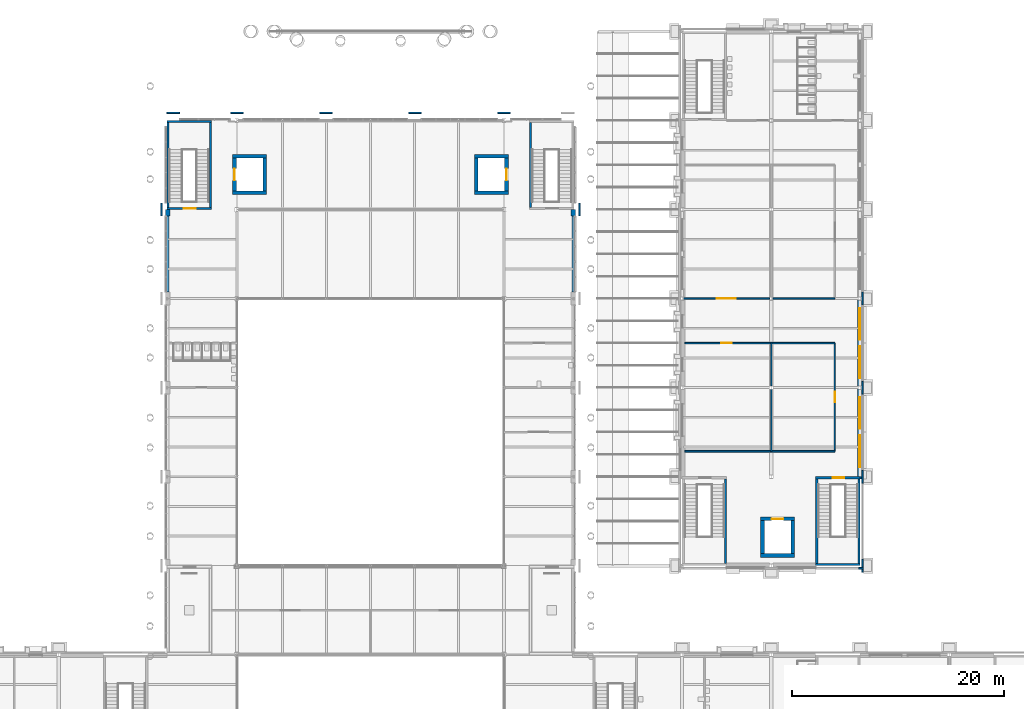
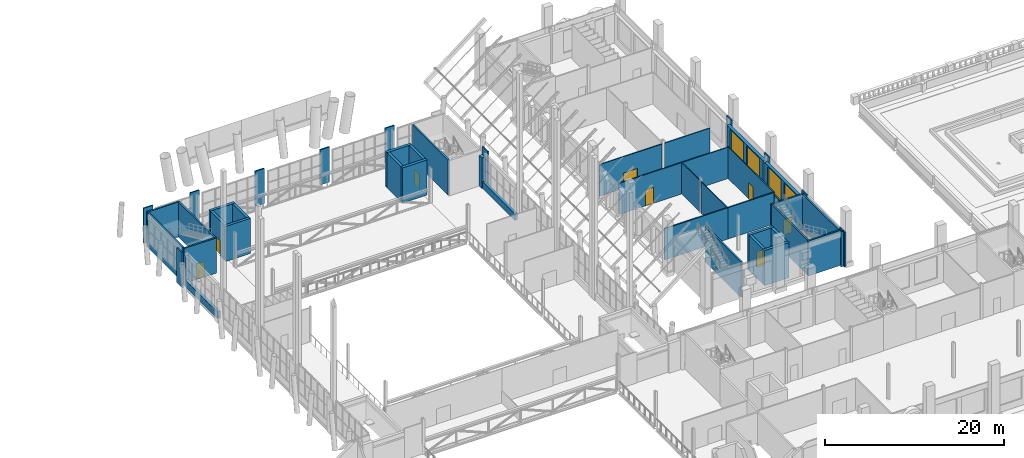
# One storey, part 54 of 76: 49 walls, 8 doors, 4 windows, 12 openings.
"""IFC4 building model written with IfcOpenShell, lengths in metres."""

from ifc_helpers import new_model, si_unit, direction, frame, frame_2d, origin, place, context, subcontext, project, spatial, rectangle, extrude, material, layer, layer_set, type_object, element, fill, save


model = new_model("IFC4")

# Units and contexts
model_context = context("Model", 3, precision=1e-05, world=origin(), true_north=direction((0.0, 1.0)))
body_context = subcontext(model_context, "Body", "Model", "MODEL_VIEW")
ifc_project = project(units=[si_unit("LENGTHUNIT", "METRE"), si_unit("AREAUNIT", "SQUARE_METRE"), si_unit("VOLUMEUNIT", "CUBIC_METRE"), si_unit("PLANEANGLEUNIT", "RADIAN"), si_unit("MASSUNIT", "GRAM", prefix="KILO")], contexts=[model_context])

# Site, building, storey
site_placement = place(None, origin())
site = spatial("IfcSite", under=ifc_project, at=site_placement, CompositionType="ELEMENT")
building_placement = place(site_placement, origin())
building = spatial("IfcBuilding", under=site, at=building_placement, Name="Sava Quay Ferry Terminal", CompositionType="ELEMENT")
storey_placement = place(building_placement, frame((0.0, 0.0, 6.0)))
storey = spatial("IfcBuildingStorey", under=building, at=storey_placement, Name="L01", CompositionType="ELEMENT", Elevation=6.0)

# Walls
ifc_material_1 = material(Name="Limestone Mutalj", Category="masonry")
ifc_layer_1 = layer(ifc_material_1, 0.35009765625)
ifc_layer_set_1 = layer_set([ifc_layer_1], Name="Limestone Mutalj")
wall_type_1 = type_object("IfcWallType", Name="Limestone kerb and parapet 350", PredefinedType="SOLIDWALL", material=ifc_layer_set_1)
for number, where, z_axis, x_axis, name in (
    (1, (43.824951171875, 84.60009765625, 0.0), (0.0, 0.0, 1.0), (0.0, 1.0, 0.0), "External wall D"),
    (2, (82.175048828125, 84.60009765625, 0.0), (0.0, 0.0, 1.0), (0.0, 1.0, 0.0), "External wall D"),
):
    element("IfcWall", number, at=place(storey_placement, frame(where, z_axis=z_axis, x_axis=x_axis)), inside=storey, type_object=wall_type_1, Name=name, PredefinedType="SOLIDWALL", context=body_context, shape_type="SweptSolid", body=[
        extrude(rectangle(XDim=7.199951171875, YDim=0.35009765625, at=frame_2d((3.60009765625, 0.0))), origin(), (0.0, 0.0, 1.0), 0.89990234375),
    ])
ifc_material_2 = material(Name="Limestone Mutalj", Category="masonry")
ifc_layer_2 = layer(ifc_material_2, 0.14990234375)
ifc_layer_set_2 = layer_set([ifc_layer_2], Name="Limestone Mutalj")
wall_type_2 = type_object("IfcWallType", Name="Pier cladding 150", PredefinedType="SOLIDWALL", material=ifc_layer_set_2)
wall_1_placement = place(storey_placement, frame((109.050048828125, 58.56494140625, 0.0), z_axis=(0.0, 0.0, 1.0), x_axis=(1.0, 0.0, 0.0)))
element("IfcWall", 3, at=wall_1_placement, inside=storey, type_object=wall_type_2, Name="Pier O-S grid 109.2", PredefinedType="SOLIDWALL", context=body_context, shape_type="SweptSolid", body=[
    extrude(rectangle(XDim=0.449951171875, YDim=0.14990234375, at=frame_2d((0.22509765625, 0.0))), origin(), (0.0, 0.0, 1.0), 4.800048828125),
])
for number, where, z_axis, x_axis, name in (
    (4, (109.425048828125, 58.199951171875, 0.0), (0.0, 0.0, 1.0), (0.0, 1.0, 0.0), "Pier O-E grid 58.8"),
    (5, (109.425048828125, 66.60009765625, 0.0), (0.0, 0.0, 1.0), (0.0, 1.0, 0.0), "Pier O-E grid 67.2"),
    (6, (109.425048828125, 75.0, 0.0), (0.0, 0.0, 1.0), (0.0, 1.0, 0.0), "Pier O-E grid 75.6"),
):
    element("IfcWall", number, at=place(storey_placement, frame(where, z_axis=z_axis, x_axis=x_axis)), inside=storey, type_object=wall_type_2, Name=name, PredefinedType="SOLIDWALL", context=body_context, shape_type="SweptSolid", body=[
        extrude(rectangle(XDim=1.199951171875, YDim=0.14990234375, at=frame_2d((0.60009765625, 0.0))), origin(), (0.0, 0.0, 1.0), 4.800048828125),
    ])
wall_2_placement = place(storey_placement, frame((109.425048828125, 83.39990234375, 0.0), z_axis=(0.0, 0.0, 1.0), x_axis=(0.0, 1.0, 0.0)))
element("IfcWall", 7, at=wall_2_placement, inside=storey, type_object=wall_type_2, Name="Pier O-E grid 84", PredefinedType="SOLIDWALL", context=body_context, shape_type="SweptSolid", body=[
    extrude(rectangle(XDim=1.2001953125, YDim=0.14990234375, at=frame_2d((0.60009765625, 0.0))), origin(), (0.0, 0.0, 1.0), 4.800048828125),
])
for number, where, z_axis, x_axis, name in (
    (8, (43.27490234375, 91.800048828125, 0.0), (0.0, 0.0, 1.0), (0.0, 1.0, 0.0), "External wall D"),
    (9, (82.72509765625, 91.800048828125, 0.0), (0.0, 0.0, 1.0), (0.0, 1.0, 0.0), "External wall D"),
    (10, (43.800048828125, 101.52490234375, 0.0), (0.0, 0.0, 1.0), (1.0, 0.0, 0.0), "Pier D-N 44.4"),
    (11, (49.800048828125, 101.52490234375, 0.0), (0.0, 0.0, 1.0), (1.0, 0.0, 0.0), "Pier D-N 50.4"),
    (12, (58.199951171875, 101.52490234375, 0.0), (0.0, 0.0, 1.0), (1.0, 0.0, 0.0), "Pier D-N 58.8"),
    (13, (66.60009765625, 101.52490234375, 0.0), (0.0, 0.0, 1.0), (1.0, 0.0, 0.0), "Pier D-N 67.2"),
    (14, (75.0, 101.52490234375, 0.0), (0.0, 0.0, 1.0), (1.0, 0.0, 0.0), "Pier D-N 75.6"),
):
    element("IfcWall", number, at=place(storey_placement, frame(where, z_axis=z_axis, x_axis=x_axis)), inside=storey, type_object=wall_type_2, Name=name, PredefinedType="SOLIDWALL", context=body_context, shape_type="SweptSolid", body=[
        extrude(rectangle(XDim=1.199951171875, YDim=0.14990234375, at=frame_2d((0.60009765625, 0.0))), origin(), (0.0, 0.0, 1.0), 4.800048828125),
    ])
ifc_material_3 = material(Name="Masonry blockwork", Category="masonry")
ifc_layer_3 = layer(ifc_material_3, 0.14990234375)
ifc_layer_set_3 = layer_set([ifc_layer_3], Name="Masonry blockwork")
wall_type_3 = type_object("IfcWallType", Name="Plant, store and lobby wall, blockwork 150", PredefinedType="PARTITIONING", material=ifc_layer_set_3)
wall_3_placement = place(storey_placement, frame((92.650390625, 69.60009765625, 0.0), z_axis=(0.0, 0.0, 1.0), x_axis=(1.0, 0.0, 0.0)))
element("IfcWall", 15, at=wall_3_placement, inside=storey, type_object=wall_type_3, Name="Plant, store and lobby wall, blockwork 150", PredefinedType="PARTITIONING", context=body_context, shape_type="SweptSolid", body=[
    extrude(rectangle(XDim=8.149658203125, YDim=0.14990234375, at=frame_2d((4.07470703125, 0.0))), origin(), (0.0, 0.0, 1.0), 4.280029296875),
])
wall_4_placement = place(storey_placement, frame((100.800048828125, 69.60009765625, 0.0), z_axis=(0.0, 0.0, 1.0), x_axis=(1.0, 0.0, 0.0)))
element("IfcWall", 16, at=wall_4_placement, inside=storey, type_object=wall_type_3, Name="Plant, store and lobby wall, blockwork 150", PredefinedType="PARTITIONING", context=body_context, shape_type="SweptSolid", body=[
    extrude(rectangle(XDim=6.0, YDim=0.14990234375, at=frame_2d((3.0, 0.0))), origin(), (0.0, 0.0, 1.0), 4.280029296875),
])

# Wall, opening, door
ifc_material_4 = material(Name="Concrete C35/45", Category="concrete")
ifc_layer_4 = layer(ifc_material_4, 0.199951171875)
ifc_layer_set_4 = layer_set([ifc_layer_4], Name="Concrete C35/45")
wall_type_4 = type_object("IfcWallType", Name="RC core wall 200", PredefinedType="SHEAR", material=ifc_layer_set_4)
wall_5_placement = place(storey_placement, frame((43.800048828125, 92.5, 0.0), z_axis=(0.0, 0.0, 1.0), x_axis=(1.0, 0.0, 0.0)))
wall_5 = element("IfcWall", 17, at=wall_5_placement, inside=storey, type_object=wall_type_4, Name="Core wall ST-D5 S L01", PredefinedType="SHEAR", context=body_context, shape_type="SweptSolid", body=[
    extrude(rectangle(XDim=4.199951171875, YDim=0.199951171875, at=frame_2d((2.10009765625, 0.0))), origin(), (0.0, 0.0, 1.0), 4.800048828125),
])
opening_1_placement = place(wall_5_placement, frame((1.60009765625, 0.0, 0.0)))
opening_1 = element("IfcOpeningElement", 18, at=opening_1_placement, cuts=wall_5, Name="Opening DS0108", PredefinedType="OPENING", context=body_context, shape_type="SweptSolid", body=[
    extrude(rectangle(XDim=1.10009765625, YDim=2.10009765625, at=frame_2d((0.550048828125, 1.050048828125))), frame((0.0, 0.10009765625, 0.0), z_axis=(0.0, -1.0, 0.0), x_axis=(1.0, 0.0, 0.0)), (0.0, 0.0, 1.0), 0.199951171875),
])
ifc_material_5 = material(Name="Steel fire door set", Category="steel")
door_type_1 = type_object("IfcDoorType", Name="Stair fire door 1100 x 2100", OperationType="NOTDEFINED", PredefinedType="DOOR", material=ifc_material_5)
door_1_placement = place(opening_1_placement, origin())
door_1 = element("IfcDoor", 19, at=door_1_placement, inside=storey, type_object=door_type_1, Name="Door DS0108", OperationType="SINGLE_SWING_RIGHT", OverallHeight=2.10009765625, OverallWidth=1.10009765625, PredefinedType="DOOR", context=body_context, shape_type="SweptSolid", body=[
    extrude(rectangle(XDim=1.10009765625, YDim=2.10009765625, at=frame_2d((0.550048828125, 1.050048828125))), frame((0.0, 0.02490234375, 0.0), z_axis=(0.0, -1.0, 0.0), x_axis=(1.0, 0.0, 0.0)), (0.0, 0.0, 1.0), 0.050048828125),
])
fill(opening_1, door_1)

# Walls
wall_6_placement = place(storey_placement, frame((43.800048828125, 100.699951171875, 0.0), z_axis=(0.0, 0.0, 1.0), x_axis=(1.0, 0.0, 0.0)))
element("IfcWall", 20, at=wall_6_placement, inside=storey, type_object=wall_type_4, Name="Core wall ST-D5 N L01", PredefinedType="SHEAR", context=body_context, shape_type="SweptSolid", body=[
    extrude(rectangle(XDim=4.199951171875, YDim=0.199951171875, at=frame_2d((2.10009765625, 0.0))), origin(), (0.0, 0.0, 1.0), 4.800048828125),
])
for number, where, z_axis, x_axis, name in (
    (21, (43.89990234375, 92.60009765625, 0.0), (0.0, 0.0, 1.0), (0.0, 1.0, 0.0), "Core wall ST-D5 W L01"),
    (22, (47.89990234375, 92.60009765625, 0.0), (0.0, 0.0, 1.0), (0.0, 1.0, 0.0), "Core wall ST-D5 E L01"),
    (23, (78.10009765625, 92.60009765625, 0.0), (0.0, 0.0, 1.0), (0.0, 1.0, 0.0), "Core wall ST-D6 W L01"),
    (24, (96.5, 59.0, 0.0), (0.0, 0.0, 1.0), (0.0, 1.0, 0.0), "Core wall ST-O1 E L01"),
):
    element("IfcWall", number, at=place(storey_placement, frame(where, z_axis=z_axis, x_axis=x_axis)), inside=storey, type_object=wall_type_4, Name=name, PredefinedType="SHEAR", context=body_context, shape_type="SweptSolid", body=[
        extrude(rectangle(XDim=8.0, YDim=0.199951171875, at=frame_2d((4.0, 0.0))), origin(), (0.0, 0.0, 1.0), 4.800048828125),
    ])
wall_7_placement = place(storey_placement, frame((105.0, 58.89990234375, 0.0), z_axis=(0.0, 0.0, 1.0), x_axis=(1.0, 0.0, 0.0)))
element("IfcWall", 25, at=wall_7_placement, inside=storey, type_object=wall_type_4, Name="Core wall ST-O2 S L01", PredefinedType="SHEAR", context=body_context, shape_type="SweptSolid", body=[
    extrude(rectangle(XDim=4.199951171875, YDim=0.199951171875, at=frame_2d((2.10009765625, 0.0))), origin(), (0.0, 0.0, 1.0), 4.800048828125),
])

# Wall, opening, door
wall_8_placement = place(storey_placement, frame((105.0, 67.10009765625, 0.0), z_axis=(0.0, 0.0, 1.0), x_axis=(1.0, 0.0, 0.0)))
wall_8 = element("IfcWall", 26, at=wall_8_placement, inside=storey, type_object=wall_type_4, Name="Core wall ST-O2 N L01", PredefinedType="SHEAR", context=body_context, shape_type="SweptSolid", body=[
    extrude(rectangle(XDim=4.199951171875, YDim=0.199951171875, at=frame_2d((2.10009765625, 0.0))), origin(), (0.0, 0.0, 1.0), 4.800048828125),
])
opening_2_placement = place(wall_8_placement, frame((1.60009765625, 0.0, 0.0)))
opening_2 = element("IfcOpeningElement", 27, at=opening_2_placement, cuts=wall_8, Name="Opening DS0114", PredefinedType="OPENING", context=body_context, shape_type="SweptSolid", body=[
    extrude(rectangle(XDim=1.10009765625, YDim=2.10009765625, at=frame_2d((0.550048828125, 1.050048828125))), frame((0.0, 0.10009765625, 0.0), z_axis=(0.0, -1.0, 0.0), x_axis=(1.0, 0.0, 0.0)), (0.0, 0.0, 1.0), 0.199951171875),
])
door_2_placement = place(opening_2_placement, origin())
door_2 = element("IfcDoor", 28, at=door_2_placement, inside=storey, type_object=door_type_1, Name="Door DS0114", OperationType="SINGLE_SWING_RIGHT", OverallHeight=2.10009765625, OverallWidth=1.10009765625, PredefinedType="DOOR", context=body_context, shape_type="SweptSolid", body=[
    extrude(rectangle(XDim=1.10009765625, YDim=2.10009765625, at=frame_2d((0.550048828125, 1.050048828125))), frame((0.0, 0.02490234375, 0.0), z_axis=(0.0, -1.0, 0.0), x_axis=(1.0, 0.0, 0.0)), (0.0, 0.0, 1.0), 0.050048828125),
])
fill(opening_2, door_2)

# Walls
for number, where, z_axis, x_axis, name in (
    (29, (105.10009765625, 59.0, 0.0), (0.0, 0.0, 1.0), (0.0, 1.0, 0.0), "Core wall ST-O2 W L01"),
    (30, (109.10009765625, 59.0, 0.0), (0.0, 0.0, 1.0), (0.0, 1.0, 0.0), "Core wall ST-O2 E L01"),
):
    element("IfcWall", number, at=place(storey_placement, frame(where, z_axis=z_axis, x_axis=x_axis)), inside=storey, type_object=wall_type_4, Name=name, PredefinedType="SHEAR", context=body_context, shape_type="SweptSolid", body=[
        extrude(rectangle(XDim=8.0, YDim=0.199951171875, at=frame_2d((4.0, 0.0))), origin(), (0.0, 0.0, 1.0), 4.800048828125),
    ])
ifc_material_6 = material(Name="Concrete C35/45", Category="concrete")
ifc_layer_5 = layer(ifc_material_6, 0.35009765625)
ifc_layer_set_5 = layer_set([ifc_layer_5], Name="Concrete C35/45")
wall_type_5 = type_object("IfcWallType", Name="RC core wall 350", PredefinedType="SHEAR", material=ifc_layer_set_5)
wall_9_placement = place(storey_placement, frame((99.800048828125, 59.77490234375, 0.0), z_axis=(0.0, 0.0, 1.0), x_axis=(1.0, 0.0, 0.0)))
element("IfcWall", 31, at=wall_9_placement, inside=storey, type_object=wall_type_5, Name="Core wall LF-O1 S L01", PredefinedType="SHEAR", context=body_context, shape_type="SweptSolid", body=[
    extrude(rectangle(XDim=3.199951171875, YDim=0.35009765625, at=frame_2d((1.60009765625, 0.0))), origin(), (0.0, 0.0, 1.0), 4.800048828125),
])

# Wall, opening, door
wall_10_placement = place(storey_placement, frame((99.800048828125, 63.22509765625, 0.0), z_axis=(0.0, 0.0, 1.0), x_axis=(1.0, 0.0, 0.0)))
wall_10 = element("IfcWall", 32, at=wall_10_placement, inside=storey, type_object=wall_type_5, Name="Core wall LF-O1 N L01", PredefinedType="SHEAR", context=body_context, shape_type="SweptSolid", body=[
    extrude(rectangle(XDim=3.199951171875, YDim=0.35009765625, at=frame_2d((1.60009765625, 0.0))), origin(), (0.0, 0.0, 1.0), 4.800048828125),
])
opening_3_placement = place(wall_10_placement, frame((1.050048828125, 0.0, 0.0)))
opening_3 = element("IfcOpeningElement", 33, at=opening_3_placement, cuts=wall_10, Name="Opening LD0107", PredefinedType="OPENING", context=body_context, shape_type="SweptSolid", body=[
    extrude(rectangle(XDim=1.10009765625, YDim=2.10009765625, at=frame_2d((0.550048828125, 1.050048828125))), frame((0.0, 0.175048828125, 0.0), z_axis=(0.0, -1.0, 0.0), x_axis=(1.0, 0.0, 0.0)), (0.0, 0.0, 1.0), 0.35009765625),
])
ifc_material_7 = material(Name="Stainless steel", Category="steel")
door_type_2 = type_object("IfcDoorType", Name="Lift landing door 1100 x 2100", OperationType="NOTDEFINED", PredefinedType="DOOR", material=ifc_material_7)
door_3_placement = place(opening_3_placement, origin())
door_3 = element("IfcDoor", 34, at=door_3_placement, inside=storey, type_object=door_type_2, Name="Door LD0107", OperationType="SLIDING_TO_LEFT", OverallHeight=2.10009765625, OverallWidth=1.10009765625, PredefinedType="DOOR", context=body_context, shape_type="SweptSolid", body=[
    extrude(rectangle(XDim=1.10009765625, YDim=2.10009765625, at=frame_2d((0.550048828125, 1.050048828125))), frame((0.0, 0.02490234375, 0.0), z_axis=(0.0, -1.0, 0.0), x_axis=(1.0, 0.0, 0.0)), (0.0, 0.0, 1.0), 0.050048828125),
])
fill(opening_3, door_3)

# Walls
for number, where, z_axis, x_axis, name in (
    (35, (99.97509765625, 59.949951171875, 0.0), (0.0, 0.0, 1.0), (0.0, 1.0, 0.0), "Core wall LF-O1 W L01"),
    (36, (102.824951171875, 59.949951171875, 0.0), (0.0, 0.0, 1.0), (0.0, 1.0, 0.0), "Core wall LF-O1 E L01"),
):
    element("IfcWall", number, at=place(storey_placement, frame(where, z_axis=z_axis, x_axis=x_axis)), inside=storey, type_object=wall_type_5, Name=name, PredefinedType="SHEAR", context=body_context, shape_type="SweptSolid", body=[
        extrude(rectangle(XDim=3.10009765625, YDim=0.35009765625, at=frame_2d((1.550048828125, 0.0))), origin(), (0.0, 0.0, 1.0), 4.800048828125),
    ])
for number, where, z_axis, x_axis, name in (
    (37, (50.0, 93.97509765625, 0.0), (0.0, 0.0, 1.0), (1.0, 0.0, 0.0), "Core wall LF-D2 S L01"),
    (38, (50.0, 97.425048828125, 0.0), (0.0, 0.0, 1.0), (1.0, 0.0, 0.0), "Core wall LF-D2 N L01"),
):
    element("IfcWall", number, at=place(storey_placement, frame(where, z_axis=z_axis, x_axis=x_axis)), inside=storey, type_object=wall_type_5, Name=name, PredefinedType="SHEAR", context=body_context, shape_type="SweptSolid", body=[
        extrude(rectangle(XDim=3.199951171875, YDim=0.35009765625, at=frame_2d((1.60009765625, 0.0))), origin(), (0.0, 0.0, 1.0), 4.800048828125),
    ])

# Wall, opening, door
wall_11_placement = place(storey_placement, frame((50.175048828125, 94.14990234375, 0.0), z_axis=(0.0, 0.0, 1.0), x_axis=(0.0, 1.0, 0.0)))
wall_11 = element("IfcWall", 39, at=wall_11_placement, inside=storey, type_object=wall_type_5, Name="Core wall LF-D2 W L01", PredefinedType="SHEAR", context=body_context, shape_type="SweptSolid", body=[
    extrude(rectangle(XDim=3.10009765625, YDim=0.35009765625, at=frame_2d((1.550048828125, 0.0))), origin(), (0.0, 0.0, 1.0), 4.800048828125),
])
opening_4_placement = place(wall_11_placement, frame((1.0, 0.0, 0.0)))
opening_4 = element("IfcOpeningElement", 40, at=opening_4_placement, cuts=wall_11, Name="Opening LD0108", PredefinedType="OPENING", context=body_context, shape_type="SweptSolid", body=[
    extrude(rectangle(XDim=1.10009765625, YDim=2.10009765625, at=frame_2d((0.550048828125, 1.050048828125))), frame((0.0, 0.175048828125, 0.0), z_axis=(0.0, -1.0, 0.0), x_axis=(1.0, 0.0, 0.0)), (0.0, 0.0, 1.0), 0.35009765625),
])
door_4_placement = place(opening_4_placement, origin())
door_4 = element("IfcDoor", 41, at=door_4_placement, inside=storey, type_object=door_type_2, Name="Door LD0108", OperationType="SLIDING_TO_RIGHT", OverallHeight=2.10009765625, OverallWidth=1.10009765625, PredefinedType="DOOR", context=body_context, shape_type="SweptSolid", body=[
    extrude(rectangle(XDim=1.10009765625, YDim=2.10009765625, at=frame_2d((0.550048828125, 1.050048828125))), frame((0.0, 0.02490234375, 0.0), z_axis=(0.0, -1.0, 0.0), x_axis=(1.0, 0.0, 0.0)), (0.0, 0.0, 1.0), 0.050048828125),
])
fill(opening_4, door_4)

# Walls
wall_12_placement = place(storey_placement, frame((53.02490234375, 94.14990234375, 0.0), z_axis=(0.0, 0.0, 1.0), x_axis=(0.0, 1.0, 0.0)))
element("IfcWall", 42, at=wall_12_placement, inside=storey, type_object=wall_type_5, Name="Core wall LF-D2 E L01", PredefinedType="SHEAR", context=body_context, shape_type="SweptSolid", body=[
    extrude(rectangle(XDim=3.10009765625, YDim=0.35009765625, at=frame_2d((1.550048828125, 0.0))), origin(), (0.0, 0.0, 1.0), 4.800048828125),
])
for number, where, z_axis, x_axis, name in (
    (43, (72.800048828125, 93.97509765625, 0.0), (0.0, 0.0, 1.0), (1.0, 0.0, 0.0), "Core wall LF-D3 S L01"),
    (44, (72.800048828125, 97.425048828125, 0.0), (0.0, 0.0, 1.0), (1.0, 0.0, 0.0), "Core wall LF-D3 N L01"),
):
    element("IfcWall", number, at=place(storey_placement, frame(where, z_axis=z_axis, x_axis=x_axis)), inside=storey, type_object=wall_type_5, Name=name, PredefinedType="SHEAR", context=body_context, shape_type="SweptSolid", body=[
        extrude(rectangle(XDim=3.199951171875, YDim=0.35009765625, at=frame_2d((1.60009765625, 0.0))), origin(), (0.0, 0.0, 1.0), 4.800048828125),
    ])
wall_13_placement = place(storey_placement, frame((72.97509765625, 94.14990234375, 0.0), z_axis=(0.0, 0.0, 1.0), x_axis=(0.0, 1.0, 0.0)))
element("IfcWall", 45, at=wall_13_placement, inside=storey, type_object=wall_type_5, Name="Core wall LF-D3 W L01", PredefinedType="SHEAR", context=body_context, shape_type="SweptSolid", body=[
    extrude(rectangle(XDim=3.10009765625, YDim=0.35009765625, at=frame_2d((1.550048828125, 0.0))), origin(), (0.0, 0.0, 1.0), 4.800048828125),
])

# Wall, opening, door
wall_14_placement = place(storey_placement, frame((75.824951171875, 94.14990234375, 0.0), z_axis=(0.0, 0.0, 1.0), x_axis=(0.0, 1.0, 0.0)))
wall_14 = element("IfcWall", 46, at=wall_14_placement, inside=storey, type_object=wall_type_5, Name="Core wall LF-D3 E L01", PredefinedType="SHEAR", context=body_context, shape_type="SweptSolid", body=[
    extrude(rectangle(XDim=3.10009765625, YDim=0.35009765625, at=frame_2d((1.550048828125, 0.0))), origin(), (0.0, 0.0, 1.0), 4.800048828125),
])
opening_5_placement = place(wall_14_placement, frame((1.0, 0.0, 0.0)))
opening_5 = element("IfcOpeningElement", 47, at=opening_5_placement, cuts=wall_14, Name="Opening LD0109", PredefinedType="OPENING", context=body_context, shape_type="SweptSolid", body=[
    extrude(rectangle(XDim=1.10009765625, YDim=2.10009765625, at=frame_2d((0.550048828125, 1.050048828125))), frame((0.0, 0.175048828125, 0.0), z_axis=(0.0, -1.0, 0.0), x_axis=(1.0, 0.0, 0.0)), (0.0, 0.0, 1.0), 0.35009765625),
])
door_5_placement = place(opening_5_placement, origin())
door_5 = element("IfcDoor", 48, at=door_5_placement, inside=storey, type_object=door_type_2, Name="Door LD0109", OperationType="SLIDING_TO_LEFT", OverallHeight=2.10009765625, OverallWidth=1.10009765625, PredefinedType="DOOR", context=body_context, shape_type="SweptSolid", body=[
    extrude(rectangle(XDim=1.10009765625, YDim=2.10009765625, at=frame_2d((0.550048828125, 1.050048828125))), frame((0.0, 0.02490234375, 0.0), z_axis=(0.0, -1.0, 0.0), x_axis=(1.0, 0.0, 0.0)), (0.0, 0.0, 1.0), 0.050048828125),
])
fill(opening_5, door_5)

# Walls
ifc_material_8 = material(Name="Plasterboard on steel studs", Category="steel")
ifc_layer_6 = layer(ifc_material_8, 0.125)
ifc_layer_set_6 = layer_set([ifc_layer_6], Name="Plasterboard on steel studs")
wall_type_6 = type_object("IfcWallType", Name="Room partition, plasterboard on steel studs 125", PredefinedType="PARTITIONING", material=ifc_layer_set_6)
wall_15_placement = place(storey_placement, frame((100.800048828125, 69.60009765625, 0.0), z_axis=(0.0, 0.0, 1.0), x_axis=(0.0, 1.0, 0.0)))
element("IfcWall", 49, at=wall_15_placement, inside=storey, type_object=wall_type_6, Name="Room partition, plasterboard on steel studs 125", PredefinedType="PARTITIONING", context=body_context, shape_type="SweptSolid", body=[
    extrude(rectangle(XDim=5.849853515625, YDim=0.125, at=frame_2d((2.9248046875, 0.0))), origin(), (0.0, 0.0, 1.0), 4.280029296875),
])
wall_16_placement = place(storey_placement, frame((100.800048828125, 75.75, 0.0), z_axis=(0.0, 0.0, 1.0), x_axis=(0.0, 1.0, 0.0)))
element("IfcWall", 50, at=wall_16_placement, inside=storey, type_object=wall_type_6, Name="Room partition, plasterboard on steel studs 125", PredefinedType="PARTITIONING", context=body_context, shape_type="SweptSolid", body=[
    extrude(rectangle(XDim=4.050048828125, YDim=0.125, at=frame_2d((2.02490234375, 0.0))), origin(), (0.0, 0.0, 1.0), 4.280029296875),
])

# Wall, opening, door
wall_17_placement = place(storey_placement, frame((92.650390625, 79.800048828125, 0.0), z_axis=(0.0, 0.0, 1.0), x_axis=(1.0, 0.0, 0.0)))
wall_17 = element("IfcWall", 51, at=wall_17_placement, inside=storey, type_object=wall_type_6, Name="Room partition, plasterboard on steel studs 125", PredefinedType="PARTITIONING", context=body_context, shape_type="SweptSolid", body=[
    extrude(rectangle(XDim=8.149658203125, YDim=0.125, at=frame_2d((4.07470703125, 0.0))), origin(), (0.0, 0.0, 1.0), 4.280029296875),
])
opening_6_placement = place(wall_17_placement, frame((3.449462890625, 0.0, 0.0)))
opening_6 = element("IfcOpeningElement", 52, at=opening_6_placement, cuts=wall_17, Name="Opening D0122", PredefinedType="OPENING", context=body_context, shape_type="SweptSolid", body=[
    extrude(rectangle(XDim=1.0, YDim=2.199951171875, at=frame_2d((0.5, 1.10009765625))), frame((0.0, 0.0625, 0.0), z_axis=(0.0, -1.0, 0.0), x_axis=(1.0, 0.0, 0.0)), (0.0, 0.0, 1.0), 0.125),
])
ifc_material_9 = material(Name="Timber door set", Category="wood")
door_type_3 = type_object("IfcDoorType", Name="Single door 1000 x 2200", OperationType="NOTDEFINED", PredefinedType="DOOR", material=ifc_material_9)
door_6_placement = place(opening_6_placement, origin())
door_6 = element("IfcDoor", 53, at=door_6_placement, inside=storey, type_object=door_type_3, Name="Door D0122", OperationType="SINGLE_SWING_RIGHT", OverallHeight=2.199951171875, OverallWidth=1.0, PredefinedType="DOOR", context=body_context, shape_type="SweptSolid", body=[
    extrude(rectangle(XDim=1.0, YDim=2.199951171875, at=frame_2d((0.5, 1.10009765625))), frame((0.0, 0.02490234375, 0.0), z_axis=(0.0, -1.0, 0.0), x_axis=(1.0, 0.0, 0.0)), (0.0, 0.0, 1.0), 0.050048828125),
])
fill(opening_6, door_6)

# Wall
wall_18_placement = place(storey_placement, frame((100.800048828125, 79.800048828125, 0.0), z_axis=(0.0, 0.0, 1.0), x_axis=(1.0, 0.0, 0.0)))
element("IfcWall", 54, at=wall_18_placement, inside=storey, type_object=wall_type_6, Name="Room partition, plasterboard on steel studs 125", PredefinedType="PARTITIONING", context=body_context, shape_type="SweptSolid", body=[
    extrude(rectangle(XDim=6.0, YDim=0.125, at=frame_2d((3.0, 0.0))), origin(), (0.0, 0.0, 1.0), 4.280029296875),
])

# Wall, opening, door
wall_19_placement = place(storey_placement, frame((106.800048828125, 69.60009765625, 0.0), z_axis=(0.0, 0.0, 1.0), x_axis=(0.0, 1.0, 0.0)))
wall_19 = element("IfcWall", 55, at=wall_19_placement, inside=storey, type_object=wall_type_6, Name="Room partition, plasterboard on steel studs 125", PredefinedType="PARTITIONING", context=body_context, shape_type="SweptSolid", body=[
    extrude(rectangle(XDim=10.199951171875, YDim=0.125, at=frame_2d((5.10009765625, 0.0))), origin(), (0.0, 0.0, 1.0), 4.31005859375),
])
opening_7_placement = place(wall_19_placement, frame((4.60009765625, 0.0, 0.0)))
opening_7 = element("IfcOpeningElement", 56, at=opening_7_placement, cuts=wall_19, Name="Opening D0123", PredefinedType="OPENING", context=body_context, shape_type="SweptSolid", body=[
    extrude(rectangle(XDim=1.0, YDim=2.199951171875, at=frame_2d((0.5, 1.10009765625))), frame((0.0, 0.0625, 0.0), z_axis=(0.0, -1.0, 0.0), x_axis=(1.0, 0.0, 0.0)), (0.0, 0.0, 1.0), 0.125),
])
door_7_placement = place(opening_7_placement, origin())
door_7 = element("IfcDoor", 57, at=door_7_placement, inside=storey, type_object=door_type_3, Name="Door D0123", OperationType="SINGLE_SWING_LEFT", OverallHeight=2.199951171875, OverallWidth=1.0, PredefinedType="DOOR", context=body_context, shape_type="SweptSolid", body=[
    extrude(rectangle(XDim=1.0, YDim=2.199951171875, at=frame_2d((0.5, 1.10009765625))), frame((0.0, 0.02490234375, 0.0), z_axis=(0.0, -1.0, 0.0), x_axis=(1.0, 0.0, 0.0)), (0.0, 0.0, 1.0), 0.050048828125),
])
fill(opening_7, door_7)

wall_20_placement = place(storey_placement, frame((92.550048828125, 84.0, 0.0), z_axis=(0.0, 0.0, 1.0), x_axis=(1.0, 0.0, 0.0)))
wall_20 = element("IfcWall", 58, at=wall_20_placement, inside=storey, type_object=wall_type_6, Name="Room partition, plasterboard on steel studs 125", PredefinedType="PARTITIONING", context=body_context, shape_type="SweptSolid", body=[
    extrude(rectangle(XDim=8.099853515625, YDim=0.125, at=frame_2d((4.0498046875, 0.0))), origin(), (0.0, 0.0, 1.0), 4.31005859375),
])
opening_8_placement = place(wall_20_placement, frame((3.10009765625, 0.0, 0.0)))
opening_8 = element("IfcOpeningElement", 59, at=opening_8_placement, cuts=wall_20, Name="Opening D0124", PredefinedType="OPENING", context=body_context, shape_type="SweptSolid", body=[
    extrude(rectangle(XDim=1.800048828125, YDim=2.10009765625, at=frame_2d((0.89990234375, 1.050048828125))), frame((0.0, 0.0625, 0.0), z_axis=(0.0, -1.0, 0.0), x_axis=(1.0, 0.0, 0.0)), (0.0, 0.0, 1.0), 0.125),
])
ifc_material_10 = material(Name="Timber door set", Category="wood")
door_type_4 = type_object("IfcDoorType", Name="Double door 1800 x 2100", OperationType="NOTDEFINED", PredefinedType="DOOR", material=ifc_material_10)
door_8_placement = place(opening_8_placement, origin())
door_8 = element("IfcDoor", 60, at=door_8_placement, inside=storey, type_object=door_type_4, Name="Door D0124", OperationType="DOUBLE_DOOR_DOUBLE_SWING", OverallHeight=2.10009765625, OverallWidth=1.800048828125, PredefinedType="DOOR", context=body_context, shape_type="SweptSolid", body=[
    extrude(rectangle(XDim=1.800048828125, YDim=2.10009765625, at=frame_2d((0.89990234375, 1.050048828125))), frame((0.0, 0.02490234375, 0.0), z_axis=(0.0, -1.0, 0.0), x_axis=(1.0, 0.0, 0.0)), (0.0, 0.0, 1.0), 0.050048828125),
])
fill(opening_8, door_8)

# Walls
wall_21_placement = place(storey_placement, frame((100.949951171875, 84.0, 0.0), z_axis=(0.0, 0.0, 1.0), x_axis=(1.0, 0.0, 0.0)))
element("IfcWall", 61, at=wall_21_placement, inside=storey, type_object=wall_type_6, Name="Room partition, plasterboard on steel studs 125", PredefinedType="PARTITIONING", context=body_context, shape_type="SweptSolid", body=[
    extrude(rectangle(XDim=5.85009765625, YDim=0.125, at=frame_2d((2.925048828125, 0.0))), origin(), (0.0, 0.0, 1.0), 4.31005859375),
])
ifc_material_11 = material(Name="Limestone Mutalj", Category="masonry")
ifc_layer_7 = layer(ifc_material_11, 0.449951171875)
ifc_layer_set_7 = layer_set([ifc_layer_7], Name="Limestone Mutalj")
wall_type_7 = type_object("IfcWallType", Name="Rusticated limestone infill 450", PredefinedType="SOLIDWALL", material=ifc_layer_set_7)
for number, where, z_axis, x_axis, name in (
    (62, (43.875, 91.800048828125, 0.0), (0.0, 0.0, 1.0), (0.0, 1.0, 0.0), "External wall D"),
    (63, (82.125, 91.800048828125, 0.0), (0.0, 0.0, 1.0), (0.0, 1.0, 0.0), "External wall D"),
):
    element("IfcWall", number, at=place(storey_placement, frame(where, z_axis=z_axis, x_axis=x_axis)), inside=storey, type_object=wall_type_7, Name=name, PredefinedType="SOLIDWALL", context=body_context, shape_type="SweptSolid", body=[
        extrude(rectangle(XDim=0.599853515625, YDim=0.449951171875, at=frame_2d((0.2998046875, 0.0))), origin(), (0.0, 0.0, 1.0), 4.199951171875),
    ])

# Wall, openings, windows
ifc_material_12 = material(Name="Sandstone Bela Voda", Category="masonry")
ifc_layer_8 = layer(ifc_material_12, 0.39990234375)
ifc_layer_set_8 = layer_set([ifc_layer_8], Name="Sandstone Bela Voda")
wall_type_8 = type_object("IfcWallType", Name="Sandstone ashlar infill 400", PredefinedType="SOLIDWALL", material=ifc_layer_set_8)
wall_22_placement = place(storey_placement, frame((109.14990234375, 67.0, 0.0), z_axis=(0.0, 0.0, 1.0), x_axis=(0.0, 1.0, 0.0)))
wall_22 = element("IfcWall", 64, at=wall_22_placement, inside=storey, type_object=wall_type_8, Name="External wall O-E", PredefinedType="SOLIDWALL", context=body_context, shape_type="SweptSolid", body=[
    extrude(rectangle(XDim=8.449951171875, YDim=0.39990234375, at=frame_2d((4.22509765625, 0.0))), origin(), (0.0, 0.0, 1.0), 4.050048828125),
])
opening_9_placement = place(wall_22_placement, frame((1.10009765625, 0.0, 0.89990234375)))
opening_9 = element("IfcOpeningElement", 65, at=opening_9_placement, cuts=wall_22, Name="Opening W-B", PredefinedType="OPENING", context=body_context, shape_type="SweptSolid", body=[
    extrude(rectangle(XDim=3.0, YDim=3.0, at=frame_2d((1.5, 1.5))), frame((0.0, 0.199951171875, 0.0), z_axis=(0.0, -1.0, 0.0), x_axis=(1.0, 0.0, 0.0)), (0.0, 0.0, 1.0), 0.39990234375),
])
opening_10_placement = place(wall_22_placement, frame((4.699951171875, 0.0, 0.89990234375)))
opening_10 = element("IfcOpeningElement", 66, at=opening_10_placement, cuts=wall_22, Name="Opening W-B", PredefinedType="OPENING", context=body_context, shape_type="SweptSolid", body=[
    extrude(rectangle(XDim=3.0, YDim=3.0, at=frame_2d((1.5, 1.5))), frame((0.0, 0.199951171875, 0.0), z_axis=(0.0, -1.0, 0.0), x_axis=(1.0, 0.0, 0.0)), (0.0, 0.0, 1.0), 0.39990234375),
])
ifc_material_13 = material(Name="Aluminium bronze anodised frame, glazing double low-e Ug 1.1", Category="aluminium")
window_type = type_object("IfcWindowType", Name="Upper ordered window 3000x3000", PartitioningType="SINGLE_PANEL", PredefinedType="WINDOW", material=ifc_material_13)
window_1_placement = place(opening_9_placement, origin())
window_1 = element("IfcWindow", 67, at=window_1_placement, inside=storey, type_object=window_type, Name="Window W-B", OverallHeight=3.0, OverallWidth=3.0, PartitioningType="SINGLE_PANEL", PredefinedType="WINDOW", context=body_context, shape_type="SweptSolid", body=[
    extrude(rectangle(XDim=3.0, YDim=3.0, at=frame_2d((1.5, 1.5))), frame((0.0, 0.030029296875, 0.0), z_axis=(0.0, -1.0, 0.0), x_axis=(1.0, 0.0, 0.0)), (0.0, 0.0, 1.0), 0.06005859375),
])
fill(opening_9, window_1)
window_2_placement = place(opening_10_placement, origin())
window_2 = element("IfcWindow", 68, at=window_2_placement, inside=storey, type_object=window_type, Name="Window W-B", OverallHeight=3.0, OverallWidth=3.0, PartitioningType="SINGLE_PANEL", PredefinedType="WINDOW", context=body_context, shape_type="SweptSolid", body=[
    extrude(rectangle(XDim=3.0, YDim=3.0, at=frame_2d((1.5, 1.5))), frame((0.0, 0.030029296875, 0.0), z_axis=(0.0, -1.0, 0.0), x_axis=(1.0, 0.0, 0.0)), (0.0, 0.0, 1.0), 0.06005859375),
])
fill(opening_10, window_2)

wall_23_placement = place(storey_placement, frame((109.14990234375, 75.75, 0.0), z_axis=(0.0, 0.0, 1.0), x_axis=(0.0, 1.0, 0.0)))
wall_23 = element("IfcWall", 69, at=wall_23_placement, inside=storey, type_object=wall_type_8, Name="External wall O-E", PredefinedType="SOLIDWALL", context=body_context, shape_type="SweptSolid", body=[
    extrude(rectangle(XDim=8.10009765625, YDim=0.39990234375, at=frame_2d((4.050048828125, 0.0))), origin(), (0.0, 0.0, 1.0), 4.050048828125),
])
opening_11_placement = place(wall_23_placement, frame((0.75, 0.0, 0.89990234375)))
opening_11 = element("IfcOpeningElement", 70, at=opening_11_placement, cuts=wall_23, Name="Opening W-B", PredefinedType="OPENING", context=body_context, shape_type="SweptSolid", body=[
    extrude(rectangle(XDim=3.0, YDim=3.0, at=frame_2d((1.5, 1.5))), frame((0.0, 0.199951171875, 0.0), z_axis=(0.0, -1.0, 0.0), x_axis=(1.0, 0.0, 0.0)), (0.0, 0.0, 1.0), 0.39990234375),
])
opening_12_placement = place(wall_23_placement, frame((4.35009765625, 0.0, 0.89990234375)))
opening_12 = element("IfcOpeningElement", 71, at=opening_12_placement, cuts=wall_23, Name="Opening W-B", PredefinedType="OPENING", context=body_context, shape_type="SweptSolid", body=[
    extrude(rectangle(XDim=3.0, YDim=3.0, at=frame_2d((1.5, 1.5))), frame((0.0, 0.199951171875, 0.0), z_axis=(0.0, -1.0, 0.0), x_axis=(1.0, 0.0, 0.0)), (0.0, 0.0, 1.0), 0.39990234375),
])
window_3_placement = place(opening_11_placement, origin())
window_3 = element("IfcWindow", 72, at=window_3_placement, inside=storey, type_object=window_type, Name="Window W-B", OverallHeight=3.0, OverallWidth=3.0, PartitioningType="SINGLE_PANEL", PredefinedType="WINDOW", context=body_context, shape_type="SweptSolid", body=[
    extrude(rectangle(XDim=3.0, YDim=3.0, at=frame_2d((1.5, 1.5))), frame((0.0, 0.030029296875, 0.0), z_axis=(0.0, -1.0, 0.0), x_axis=(1.0, 0.0, 0.0)), (0.0, 0.0, 1.0), 0.06005859375),
])
fill(opening_11, window_3)
window_4_placement = place(opening_12_placement, origin())
window_4 = element("IfcWindow", 73, at=window_4_placement, inside=storey, type_object=window_type, Name="Window W-B", OverallHeight=3.0, OverallWidth=3.0, PartitioningType="SINGLE_PANEL", PredefinedType="WINDOW", context=body_context, shape_type="SweptSolid", body=[
    extrude(rectangle(XDim=3.0, YDim=3.0, at=frame_2d((1.5, 1.5))), frame((0.0, 0.030029296875, 0.0), z_axis=(0.0, -1.0, 0.0), x_axis=(1.0, 0.0, 0.0)), (0.0, 0.0, 1.0), 0.06005859375),
])
fill(opening_12, window_4)

save(model, "model.ifc")
